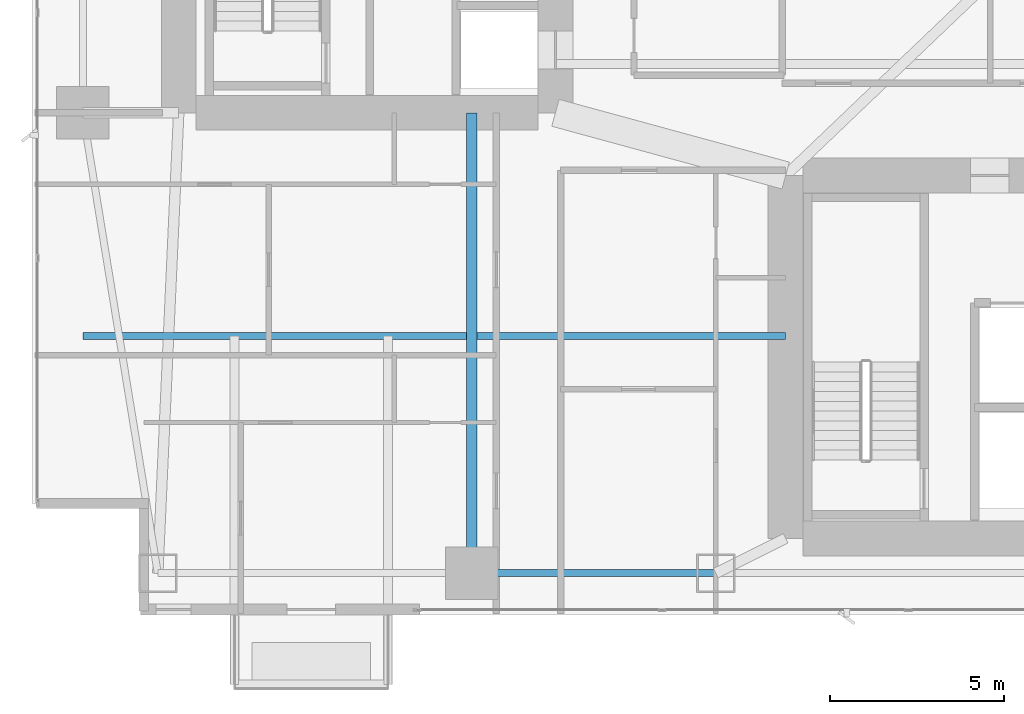
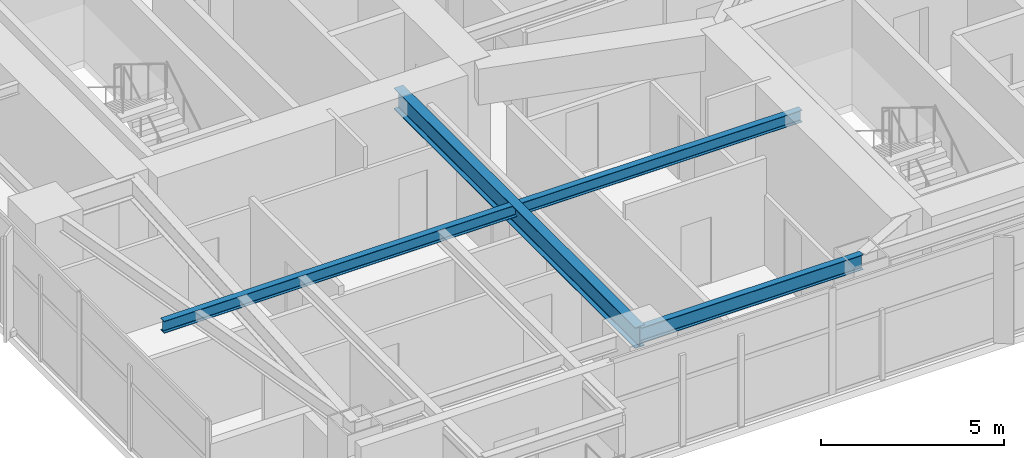
# One storey, part 5 of 29: 3 beams.
"""IFC4 building model written with IfcOpenShell, lengths in metres."""

from ifc_helpers import new_model, si_unit, direction, frame, origin, origin_2d, place, context, subcontext, project, spatial, i_section, extrude, material, material_profile, profile_set, type_object, element, save


model = new_model("IFC4")

# Units and contexts
model_context = context("Model", 3, precision=1e-05, world=origin(), true_north=direction((0.0, 1.0)))
body_context = subcontext(model_context, "Body", "Model", "MODEL_VIEW")
ifc_project = project(units=[si_unit("LENGTHUNIT", "METRE"), si_unit("AREAUNIT", "SQUARE_METRE"), si_unit("VOLUMEUNIT", "CUBIC_METRE"), si_unit("PLANEANGLEUNIT", "RADIAN"), si_unit("MASSUNIT", "GRAM", prefix="KILO")], contexts=[model_context])

# Site, building, storey
site_placement = place(None, origin())
site = spatial("IfcSite", under=ifc_project, at=site_placement, CompositionType="ELEMENT")
building_placement = place(site_placement, origin())
building = spatial("IfcBuilding", under=site, at=building_placement, Name="Calvorn Quay Hotel", CompositionType="ELEMENT")
storey_placement = place(building_placement, frame((0.0, 0.0, 58.39990234375)))
storey = spatial("IfcBuildingStorey", under=building, at=storey_placement, Name="L13", CompositionType="ELEMENT", Elevation=58.39990234375)

# Beams
ifc_material_1 = material(Name="Steel Q390GJC", Category="steel")
ifc_material_profile_1 = material_profile(ifc_material_1, i_section(OverallWidth=0.300048828125, OverallDepth=0.699951171875, WebThickness=0.012939453125, FlangeThickness=0.02392578125, FilletRadius=0.02392578125, at=origin_2d()), Name="HN700x300x13x24")
ifc_profile_set_1 = profile_set([ifc_material_profile_1], Name="Steel Q390GJC")
beam_type_1 = type_object("IfcBeamType", Name="BM-GIRD-MAIN", PredefinedType="BEAM", material=ifc_profile_set_1)
beam_1_placement = place(storey_placement, frame((12.60009765625, 3.60009765625, 3.190185546875), z_axis=(0.0, 1.0, 0.0), x_axis=(-1.0, 0.0, 0.0)))
element("IfcBeam", 1, at=beam_1_placement, inside=storey, type_object=beam_type_1, Name="Beam BG-L13-S1", PredefinedType="BEAM", context=body_context, shape_type="SweptSolid", body=[
    extrude(i_section(OverallWidth=0.300048828125, OverallDepth=0.699951171875, WebThickness=0.012939453125, FlangeThickness=0.02392578125, FilletRadius=0.02392578125, at=origin_2d()), origin(), (0.0, 0.0, 1.0), 13.199951171875),
])
ifc_material_2 = material(Name="Steel Q355B", Category="steel")
ifc_material_profile_2 = material_profile(ifc_material_2, i_section(OverallWidth=0.199951171875, OverallDepth=0.39990234375, WebThickness=0.008056640625, FlangeThickness=0.012939453125, FilletRadius=0.01611328125, at=origin_2d()), Name="HN400x200x8x13")
ifc_profile_set_2 = profile_set([ifc_material_profile_2], Name="Steel Q355B")
beam_type_2 = type_object("IfcBeamType", Name="BM-JOIST-TYP", PredefinedType="JOIST", material=ifc_profile_set_2)
beam_2_placement = place(storey_placement, frame((1.449951171875, 10.39990234375, 3.340087890625), z_axis=(1.0, 0.0, 0.0), x_axis=(0.0, 1.0, 0.0)))
element("IfcBeam", 2, at=beam_2_placement, inside=storey, type_object=beam_type_2, Name="Beam BJ-L13-W1", PredefinedType="JOIST", context=body_context, shape_type="SweptSolid", body=[
    extrude(i_section(OverallWidth=0.199951171875, OverallDepth=0.39990234375, WebThickness=0.008056640625, FlangeThickness=0.012939453125, FilletRadius=0.01611328125, at=origin_2d()), origin(), (0.0, 0.0, 1.0), 20.150146484375),
])
ifc_material_3 = material(Name="Steel Q355B", Category="steel")
ifc_material_profile_3 = material_profile(ifc_material_3, i_section(OverallWidth=0.199951171875, OverallDepth=0.5, WebThickness=0.010009765625, FlangeThickness=0.01611328125, FilletRadius=0.01611328125, at=origin_2d()), Name="HN500x200x10x16")
ifc_profile_set_3 = profile_set([ifc_material_profile_3], Name="Steel Q355B")
beam_type_3 = type_object("IfcBeamType", Name="BM-SPANDREL-Z1", PredefinedType="SPANDREL", material=ifc_profile_set_3)
beam_3_placement = place(storey_placement, frame((12.60009765625, 3.60009765625, 3.2900390625), z_axis=(1.0, 0.0, 0.0), x_axis=(0.0, 1.0, 0.0)))
element("IfcBeam", 3, at=beam_3_placement, inside=storey, type_object=beam_type_3, Name="Beam BSP-L13-S2", PredefinedType="SPANDREL", context=body_context, shape_type="SweptSolid", body=[
    extrude(i_section(OverallWidth=0.199951171875, OverallDepth=0.5, WebThickness=0.010009765625, FlangeThickness=0.01611328125, FilletRadius=0.01611328125, at=origin_2d()), origin(), (0.0, 0.0, 1.0), 7.0),
])

save(model, "model.ifc")
